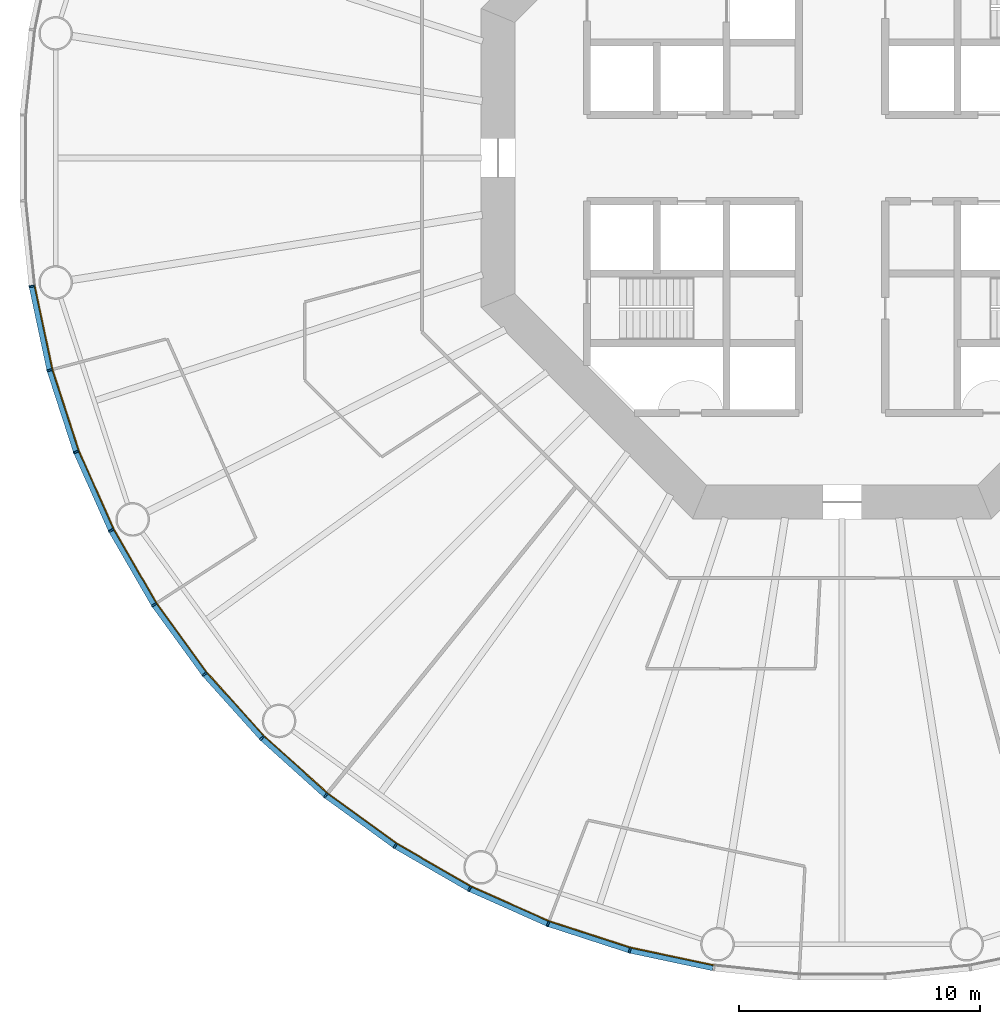
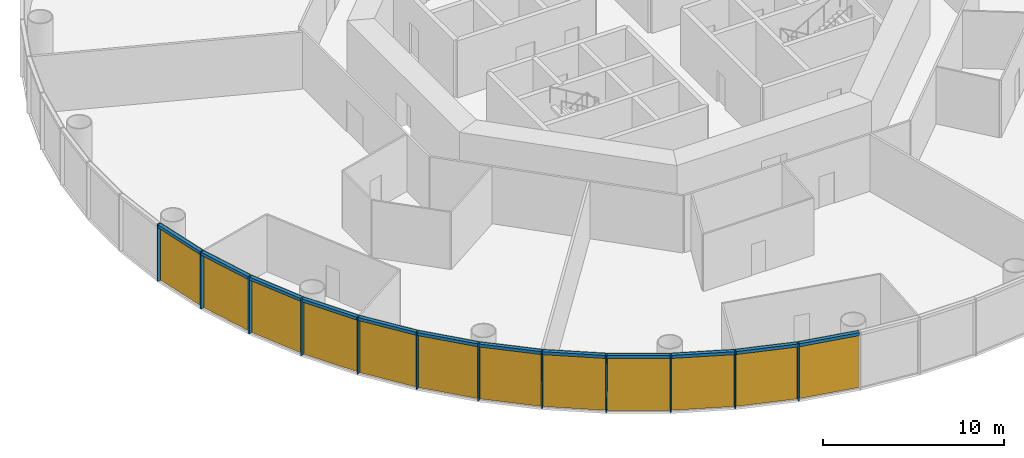
# One storey, part 7 of 13: 24 members, 4 curtain walls.
"""IFC4 building model written with IfcOpenShell, lengths in metres."""

from ifc_helpers import new_model, si_unit, direction, frame, origin, origin_2d, place, context, subcontext, project, spatial, polyline, rectangle, outline, extrude, material, layer, layer_set, material_profile, profile_set, type_object, element, aggregate, save


model = new_model("IFC4")

# Units and contexts
model_context = context("Model", 3, precision=1e-05, world=origin(), true_north=direction((0.0, 1.0)))
body_context = subcontext(model_context, "Body", "Model", "MODEL_VIEW")
ifc_project = project(units=[si_unit("LENGTHUNIT", "METRE"), si_unit("AREAUNIT", "SQUARE_METRE"), si_unit("VOLUMEUNIT", "CUBIC_METRE"), si_unit("PLANEANGLEUNIT", "RADIAN"), si_unit("MASSUNIT", "GRAM", prefix="KILO")], contexts=[model_context])

# Member
ifc_material_1 = material(Name="Anodised aluminium", Category="aluminium")
ifc_material_profile_1 = material_profile(ifc_material_1, rectangle(XDim=0.074951171875, YDim=0.219970703125, at=origin_2d()), Name="Mullion 75 x 220 mm anodised aluminium")
ifc_profile_set_1 = profile_set([ifc_material_profile_1], Name="Anodised aluminium")
member_type_1 = type_object("IfcMemberType", Name="Mullion 75 x 220 mm anodised aluminium", PredefinedType="MULLION", material=ifc_profile_set_1)
site_placement = place(None, origin())
building_placement = place(site_placement, origin())
storey_placement = place(building_placement, frame((0.0, 0.0, 26.0)))
member_1_placement = place(storey_placement, frame((56.31005859375, 74.6640625, 0.0), z_axis=(0.0, 0.0, 1.0), x_axis=(0.15643446504, -0.987688340595, 0.0)))
member_1 = element("IfcMember", 1, at=member_1_placement, type_object=member_type_1, Name="MULLION L04-30", PredefinedType="MULLION", context=body_context, shape_type="SweptSolid", body=[
    extrude(rectangle(XDim=0.074951171875, YDim=0.219970703125, at=origin_2d()), origin(), (0.0, 0.0, 1.0), 3.85009765625),
])

member_2_placement = place(storey_placement, frame((57.05224609375, 71.171630859375, 0.0), z_axis=(0.0, 0.0, 1.0), x_axis=(0.258819045103, -0.965925826289, 0.0)))
member_2 = element("IfcMember", 2, at=member_2_placement, type_object=member_type_1, Name="MULLION L04-31", PredefinedType="MULLION", context=body_context, shape_type="SweptSolid", body=[
    extrude(rectangle(XDim=0.074951171875, YDim=0.219970703125, at=origin_2d()), origin(), (0.0, 0.0, 1.0), 3.85009765625),
])

member_3_placement = place(storey_placement, frame((58.155517578125, 67.776123046875, 0.0), z_axis=(0.0, 0.0, 1.0), x_axis=(0.358367949545, -0.933580426497, 0.0)))
member_3 = element("IfcMember", 3, at=member_3_placement, type_object=member_type_1, Name="MULLION L04-32", PredefinedType="MULLION", context=body_context, shape_type="SweptSolid", body=[
    extrude(rectangle(XDim=0.074951171875, YDim=0.219970703125, at=origin_2d()), origin(), (0.0, 0.0, 1.0), 3.85009765625),
])

member_4_placement = place(storey_placement, frame((59.607666015625, 64.514404296875, 0.0), z_axis=(0.0, 0.0, 1.0), x_axis=(0.45399049974, -0.891006524188, 0.0)))
member_4 = element("IfcMember", 4, at=member_4_placement, type_object=member_type_1, Name="MULLION L04-33", PredefinedType="MULLION", context=body_context, shape_type="SweptSolid", body=[
    extrude(rectangle(XDim=0.074951171875, YDim=0.219970703125, at=origin_2d()), origin(), (0.0, 0.0, 1.0), 3.85009765625),
])

member_5_placement = place(storey_placement, frame((61.39306640625, 61.42236328125, 0.0), z_axis=(0.0, 0.0, 1.0), x_axis=(0.544639035015, -0.838670567945, 0.0)))
member_5 = element("IfcMember", 5, at=member_5_placement, type_object=member_type_1, Name="MULLION L04-34", PredefinedType="MULLION", context=body_context, shape_type="SweptSolid", body=[
    extrude(rectangle(XDim=0.074951171875, YDim=0.219970703125, at=origin_2d()), origin(), (0.0, 0.0, 1.0), 3.85009765625),
])

member_6_placement = place(storey_placement, frame((63.491455078125, 58.533935546875, 0.0), z_axis=(0.0, 0.0, 1.0), x_axis=(0.62932039105, -0.777145961457, 0.0)))
member_6 = element("IfcMember", 6, at=member_6_placement, type_object=member_type_1, Name="MULLION L04-35", PredefinedType="MULLION", context=body_context, shape_type="SweptSolid", body=[
    extrude(rectangle(XDim=0.074951171875, YDim=0.219970703125, at=origin_2d()), origin(), (0.0, 0.0, 1.0), 3.85009765625),
])

member_7_placement = place(storey_placement, frame((65.880615234375, 55.880615234375, 0.0), z_axis=(0.0, 0.0, 1.0), x_axis=(0.707106781187, -0.707106781187, 0.0)))
member_7 = element("IfcMember", 7, at=member_7_placement, type_object=member_type_1, Name="MULLION L04-36", PredefinedType="MULLION", context=body_context, shape_type="SweptSolid", body=[
    extrude(rectangle(XDim=0.074951171875, YDim=0.219970703125, at=origin_2d()), origin(), (0.0, 0.0, 1.0), 3.85009765625),
])

member_8_placement = place(storey_placement, frame((68.533935546875, 53.491455078125, 0.0), z_axis=(0.0, 0.0, 1.0), x_axis=(0.777145961457, -0.62932039105, 0.0)))
member_8 = element("IfcMember", 8, at=member_8_placement, type_object=member_type_1, Name="MULLION L04-37", PredefinedType="MULLION", context=body_context, shape_type="SweptSolid", body=[
    extrude(rectangle(XDim=0.074951171875, YDim=0.219970703125, at=origin_2d()), origin(), (0.0, 0.0, 1.0), 3.85009765625),
])

member_9_placement = place(storey_placement, frame((71.42236328125, 51.39306640625, 0.0), z_axis=(0.0, 0.0, 1.0), x_axis=(0.838670567945, -0.544639035015, 0.0)))
member_9 = element("IfcMember", 9, at=member_9_placement, type_object=member_type_1, Name="MULLION L04-38", PredefinedType="MULLION", context=body_context, shape_type="SweptSolid", body=[
    extrude(rectangle(XDim=0.074951171875, YDim=0.219970703125, at=origin_2d()), origin(), (0.0, 0.0, 1.0), 3.85009765625),
])

member_10_placement = place(storey_placement, frame((74.514404296875, 49.607666015625, 0.0), z_axis=(0.0, 0.0, 1.0), x_axis=(0.891006524188, -0.45399049974, 0.0)))
member_10 = element("IfcMember", 10, at=member_10_placement, type_object=member_type_1, Name="MULLION L04-39", PredefinedType="MULLION", context=body_context, shape_type="SweptSolid", body=[
    extrude(rectangle(XDim=0.074951171875, YDim=0.219970703125, at=origin_2d()), origin(), (0.0, 0.0, 1.0), 3.85009765625),
])

member_11_placement = place(storey_placement, frame((77.776123046875, 48.155517578125, 0.0), z_axis=(0.0, 0.0, 1.0), x_axis=(0.933580426497, -0.358367949545, 0.0)))
member_11 = element("IfcMember", 11, at=member_11_placement, type_object=member_type_1, Name="MULLION L04-40", PredefinedType="MULLION", context=body_context, shape_type="SweptSolid", body=[
    extrude(rectangle(XDim=0.074951171875, YDim=0.219970703125, at=origin_2d()), origin(), (0.0, 0.0, 1.0), 3.85009765625),
])

member_12_placement = place(storey_placement, frame((81.171630859375, 47.05224609375, 0.0), z_axis=(0.0, 0.0, 1.0), x_axis=(0.965925826289, -0.258819045103, 0.0)))
member_12 = element("IfcMember", 12, at=member_12_placement, type_object=member_type_1, Name="MULLION L04-41", PredefinedType="MULLION", context=body_context, shape_type="SweptSolid", body=[
    extrude(rectangle(XDim=0.074951171875, YDim=0.219970703125, at=origin_2d()), origin(), (0.0, 0.0, 1.0), 3.85009765625),
])

ifc_material_2 = material(Name="Anodised aluminium", Category="aluminium")
ifc_material_profile_2 = material_profile(ifc_material_2, rectangle(XDim=0.219970703125, YDim=0.199951171875, at=origin_2d()), Name="Transom 200 x 220 mm anodised aluminium")
ifc_profile_set_2 = profile_set([ifc_material_profile_2], Name="Anodised aluminium")
member_type_2 = type_object("IfcMemberType", Name="Transom 200 x 220 mm anodised aluminium", PredefinedType="USERDEFINED", material=ifc_profile_set_2)
member_13_placement = place(storey_placement, frame((56.31884765625, 74.62158203125, 3.75), z_axis=(0.207920776701, -0.978145669426, 0.0), x_axis=(0.978145669426, 0.207920776701, 0.0)))
member_13 = element("IfcMember", 13, at=member_13_placement, type_object=member_type_2, Name="TRANSOM L04-30", ObjectType="TRANSOM", PredefinedType="USERDEFINED", context=body_context, shape_type="SweptSolid", body=[
    extrude(rectangle(XDim=0.219970703125, YDim=0.199951171875, at=origin_2d()), origin(), (0.0, 0.0, 1.0), 3.48388671875),
])

member_14_placement = place(storey_placement, frame((57.0654296875, 71.130615234375, 3.75), z_axis=(0.309029029702, -0.951052605696, 0.0), x_axis=(0.951052605696, 0.309029029702, 0.0)))
member_14 = element("IfcMember", 14, at=member_14_placement, type_object=member_type_2, Name="TRANSOM L04-31", ObjectType="TRANSOM", PredefinedType="USERDEFINED", context=body_context, shape_type="SweptSolid", body=[
    extrude(rectangle(XDim=0.219970703125, YDim=0.199951171875, at=origin_2d()), origin(), (0.0, 0.0, 1.0), 3.484130859375),
])

member_15_placement = place(storey_placement, frame((58.173095703125, 67.736572265625, 3.75), z_axis=(0.406736576304, -0.913545487371, 0.0), x_axis=(0.913545487371, 0.406736576304, 0.0)))
member_15 = element("IfcMember", 15, at=member_15_placement, type_object=member_type_2, Name="TRANSOM L04-32", ObjectType="TRANSOM", PredefinedType="USERDEFINED", context=body_context, shape_type="SweptSolid", body=[
    extrude(rectangle(XDim=0.219970703125, YDim=0.199951171875, at=origin_2d()), origin(), (0.0, 0.0, 1.0), 3.48388671875),
])

member_16_placement = place(storey_placement, frame((59.629150390625, 64.476806640625, 3.75), z_axis=(0.500005538244, -0.866022206254, 0.0), x_axis=(0.866022206254, 0.500005538244, 0.0)))
member_16 = element("IfcMember", 16, at=member_16_placement, type_object=member_type_2, Name="TRANSOM L04-33", ObjectType="TRANSOM", PredefinedType="USERDEFINED", context=body_context, shape_type="SweptSolid", body=[
    extrude(rectangle(XDim=0.219970703125, YDim=0.199951171875, at=origin_2d()), origin(), (0.0, 0.0, 1.0), 3.48388671875),
])

member_17_placement = place(storey_placement, frame((61.418212890625, 61.38720703125, 3.75), z_axis=(0.587821627006, -0.80899056535, 0.0), x_axis=(0.80899056535, 0.587821627006, 0.0)))
member_17 = element("IfcMember", 17, at=member_17_placement, type_object=member_type_2, Name="TRANSOM L04-34", ObjectType="TRANSOM", PredefinedType="USERDEFINED", context=body_context, shape_type="SweptSolid", body=[
    extrude(rectangle(XDim=0.219970703125, YDim=0.199951171875, at=origin_2d()), origin(), (0.0, 0.0, 1.0), 3.48388671875),
])

member_18_placement = place(storey_placement, frame((63.520263671875, 58.501708984375, 3.75), z_axis=(0.669138930974, -0.743137329876, 0.0), x_axis=(0.743137329876, 0.669138930974, 0.0)))
member_18 = element("IfcMember", 18, at=member_18_placement, type_object=member_type_2, Name="TRANSOM L04-35", ObjectType="TRANSOM", PredefinedType="USERDEFINED", context=body_context, shape_type="SweptSolid", body=[
    extrude(rectangle(XDim=0.219970703125, YDim=0.199951171875, at=origin_2d()), origin(), (0.0, 0.0, 1.0), 3.484130859375),
])

member_19_placement = place(storey_placement, frame((65.91259765625, 55.8515625, 3.75), z_axis=(0.743137329876, -0.669138930974, 0.0), x_axis=(0.669138930974, 0.743137329876, 0.0)))
member_19 = element("IfcMember", 19, at=member_19_placement, type_object=member_type_2, Name="TRANSOM L04-36", ObjectType="TRANSOM", PredefinedType="USERDEFINED", context=body_context, shape_type="SweptSolid", body=[
    extrude(rectangle(XDim=0.219970703125, YDim=0.199951171875, at=origin_2d()), origin(), (0.0, 0.0, 1.0), 3.484130859375),
])

member_20_placement = place(storey_placement, frame((68.56884765625, 53.466064453125, 3.75), z_axis=(0.80899056535, -0.587821627006, 0.0), x_axis=(0.587821627006, 0.80899056535, 0.0)))
member_20 = element("IfcMember", 20, at=member_20_placement, type_object=member_type_2, Name="TRANSOM L04-37", ObjectType="TRANSOM", PredefinedType="USERDEFINED", context=body_context, shape_type="SweptSolid", body=[
    extrude(rectangle(XDim=0.219970703125, YDim=0.199951171875, at=origin_2d()), origin(), (0.0, 0.0, 1.0), 3.48388671875),
])

member_21_placement = place(storey_placement, frame((71.459716796875, 51.37109375, 3.75), z_axis=(0.866022206254, -0.500005538244, 0.0), x_axis=(0.500005538244, 0.866022206254, 0.0)))
member_21 = element("IfcMember", 21, at=member_21_placement, type_object=member_type_2, Name="TRANSOM L04-38", ObjectType="TRANSOM", PredefinedType="USERDEFINED", context=body_context, shape_type="SweptSolid", body=[
    extrude(rectangle(XDim=0.219970703125, YDim=0.199951171875, at=origin_2d()), origin(), (0.0, 0.0, 1.0), 3.48388671875),
])

member_22_placement = place(storey_placement, frame((74.553955078125, 49.590087890625, 3.75), z_axis=(0.913545487371, -0.406736576304, 0.0), x_axis=(0.406736576304, 0.913545487371, 0.0)))
member_22 = element("IfcMember", 22, at=member_22_placement, type_object=member_type_2, Name="TRANSOM L04-39", ObjectType="TRANSOM", PredefinedType="USERDEFINED", context=body_context, shape_type="SweptSolid", body=[
    extrude(rectangle(XDim=0.219970703125, YDim=0.199951171875, at=origin_2d()), origin(), (0.0, 0.0, 1.0), 3.48388671875),
])

member_23_placement = place(storey_placement, frame((77.817138671875, 48.14208984375, 3.75), z_axis=(0.951052605696, -0.309029029702, 0.0), x_axis=(0.309029029702, 0.951052605696, 0.0)))
member_23 = element("IfcMember", 23, at=member_23_placement, type_object=member_type_2, Name="TRANSOM L04-40", ObjectType="TRANSOM", PredefinedType="USERDEFINED", context=body_context, shape_type="SweptSolid", body=[
    extrude(rectangle(XDim=0.219970703125, YDim=0.199951171875, at=origin_2d()), origin(), (0.0, 0.0, 1.0), 3.484130859375),
])

member_24_placement = place(storey_placement, frame((81.2138671875, 47.043212890625, 3.75), z_axis=(0.978145669426, -0.207920776701, 0.0), x_axis=(0.207920776701, 0.978145669426, 0.0)))
member_24 = element("IfcMember", 24, at=member_24_placement, type_object=member_type_2, Name="TRANSOM L04-41", ObjectType="TRANSOM", PredefinedType="USERDEFINED", context=body_context, shape_type="SweptSolid", body=[
    extrude(rectangle(XDim=0.219970703125, YDim=0.199951171875, at=origin_2d()), origin(), (0.0, 0.0, 1.0), 3.48388671875),
])

# Site, building, storey
site = spatial("IfcSite", under=ifc_project, at=site_placement, CompositionType="ELEMENT")
building = spatial("IfcBuilding", under=site, at=building_placement, Name="Entoto Ring Tower", CompositionType="ELEMENT")
storey = spatial("IfcBuildingStorey", under=building, at=storey_placement, Name="L04", CompositionType="ELEMENT", Elevation=26.0)

# Curtain wall
ifc_material_3 = material(Name="Clear low-iron glass", Category="glass")
ifc_layer = layer(ifc_material_3, 0.0400390625)
ifc_layer_set = layer_set([ifc_layer], Name="Clear low-iron glass")
curtain_wall_type = type_object("IfcCurtainWallType", Name="Curtain wall system CW1 glazing 40 mm", PredefinedType="NOTDEFINED", material=ifc_layer_set)
curtain_wall_1_placement = place(storey_placement, origin())
curtain_wall_1 = element("IfcCurtainWall", 25, at=curtain_wall_1_placement, inside=storey, type_object=curtain_wall_type, Name="CW1 L04-11", PredefinedType="NOTDEFINED", context=body_context, shape_type="SweptSolid", body=[
    extrude(outline(polyline([(56.418701171875, 74.68115234375), (57.158447265625, 71.2001953125), (58.25830078125, 67.8154296875), (59.705810546875, 64.564208984375), (59.741455078125, 64.58251953125), (58.295654296875, 67.829833984375), (57.197265625, 71.21044921875), (56.458251953125, 74.6875), (56.418701171875, 74.68115234375)])), origin(), (0.0, 0.0, 1.0), 3.85009765625),
])

aggregate(curtain_wall_1, [member_1, member_2, member_3, member_13, member_14, member_15])

curtain_wall_2_placement = place(storey_placement, origin())
curtain_wall_2 = element("IfcCurtainWall", 26, at=curtain_wall_2_placement, inside=storey, type_object=curtain_wall_type, Name="CW1 L04-12", PredefinedType="NOTDEFINED", context=body_context, shape_type="SweptSolid", body=[
    extrude(outline(polyline([(59.705810546875, 64.564208984375), (61.485107421875, 61.482177734375), (63.5771484375, 58.60302734375), (65.958251953125, 55.958251953125), (65.986572265625, 55.986572265625), (63.608154296875, 58.62841796875), (61.518798828125, 61.504150390625), (59.741455078125, 64.58251953125), (59.705810546875, 64.564208984375)])), origin(), (0.0, 0.0, 1.0), 3.85009765625),
])

aggregate(curtain_wall_2, [member_4, member_5, member_6, member_16, member_17, member_18])

curtain_wall_3_placement = place(storey_placement, origin())
curtain_wall_3 = element("IfcCurtainWall", 27, at=curtain_wall_3_placement, inside=storey, type_object=curtain_wall_type, Name="CW1 L04-13", PredefinedType="NOTDEFINED", context=body_context, shape_type="SweptSolid", body=[
    extrude(outline(polyline([(65.958251953125, 55.958251953125), (68.60302734375, 53.5771484375), (71.482177734375, 51.485107421875), (74.564208984375, 49.705810546875), (74.58251953125, 49.741455078125), (71.504150390625, 51.518798828125), (68.62841796875, 53.608154296875), (65.986572265625, 55.986572265625), (65.958251953125, 55.958251953125)])), origin(), (0.0, 0.0, 1.0), 3.85009765625),
])

aggregate(curtain_wall_3, [member_7, member_8, member_9, member_19, member_20, member_21])

curtain_wall_4_placement = place(storey_placement, origin())
curtain_wall_4 = element("IfcCurtainWall", 28, at=curtain_wall_4_placement, inside=storey, type_object=curtain_wall_type, Name="CW1 L04-14", PredefinedType="NOTDEFINED", context=body_context, shape_type="SweptSolid", body=[
    extrude(outline(polyline([(74.564208984375, 49.705810546875), (77.8154296875, 48.25830078125), (81.2001953125, 47.158447265625), (84.68115234375, 46.418701171875), (84.6875, 46.458251953125), (81.21044921875, 47.197265625), (77.829833984375, 48.295654296875), (74.58251953125, 49.741455078125), (74.564208984375, 49.705810546875)])), origin(), (0.0, 0.0, 1.0), 3.85009765625),
])

aggregate(curtain_wall_4, [member_10, member_11, member_12, member_22, member_23, member_24])

save(model, "model.ifc")
